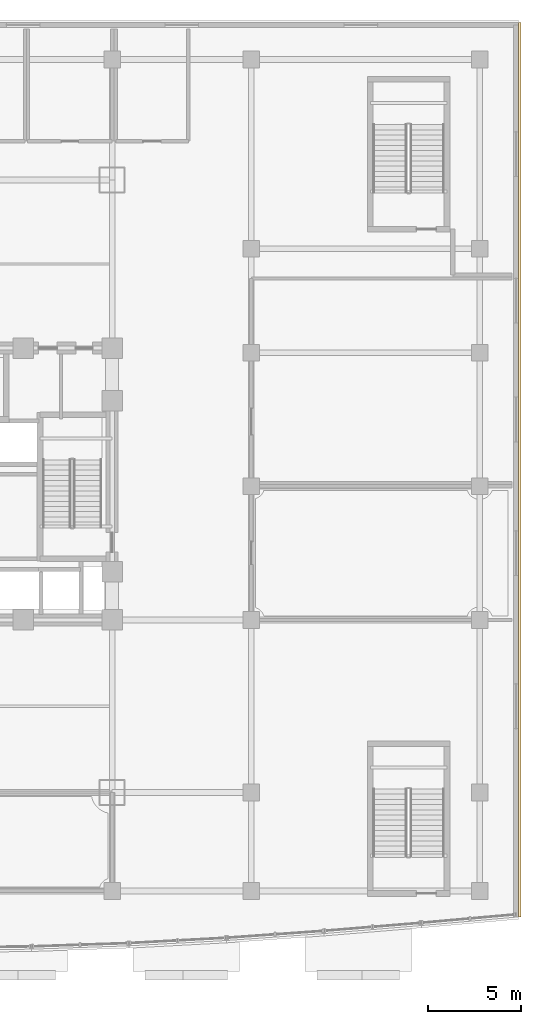
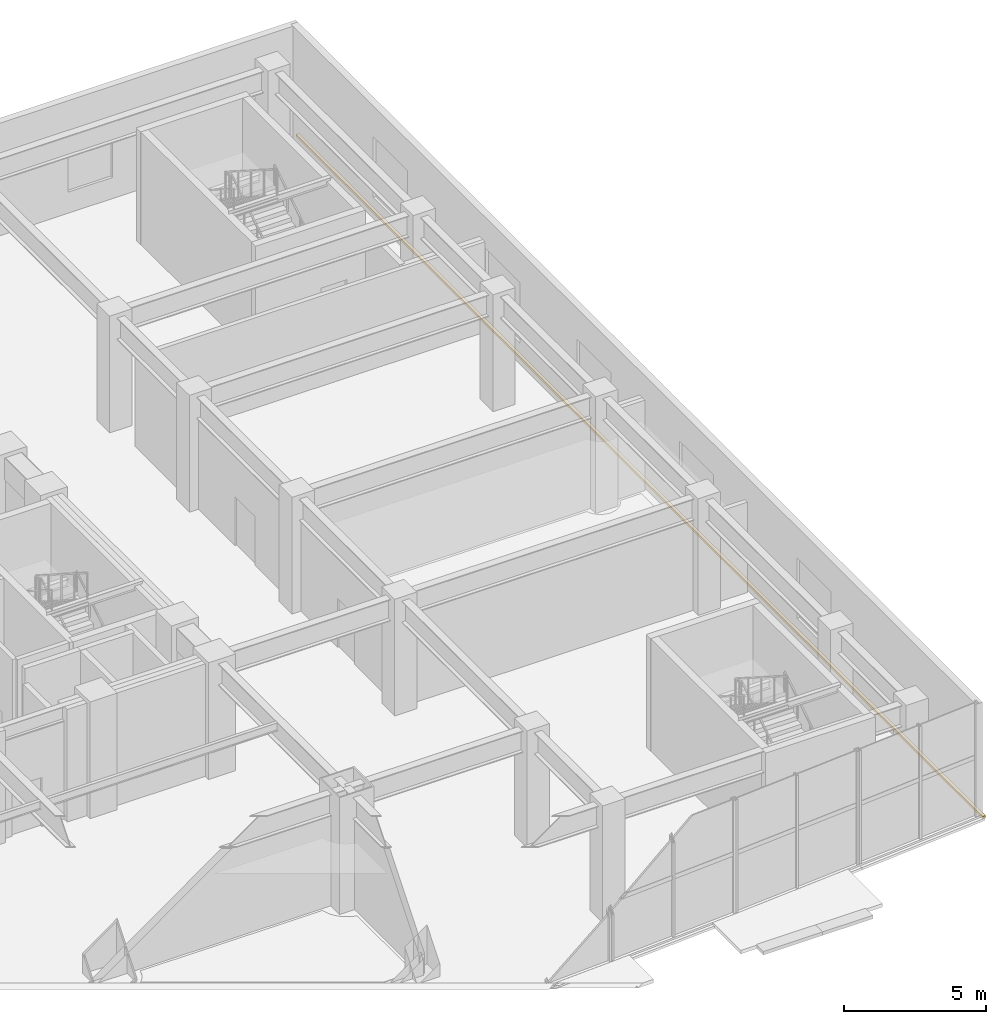
# One storey, part 21 of 24: 1 covering.
"""IFC4 building model written with IfcOpenShell, lengths in metres."""

from ifc_helpers import new_model, si_unit, direction, frame, origin, place, context, subcontext, project, spatial, polyline, outline, extrude, material, layer, layer_set, type_object, element, save


model = new_model("IFC4")

# Units and contexts
model_context = context("Model", 3, precision=1e-05, world=origin(), true_north=direction((0.0, 1.0)))
body_context = subcontext(model_context, "Body", "Model", "MODEL_VIEW")
ifc_project = project(units=[si_unit("LENGTHUNIT", "METRE"), si_unit("AREAUNIT", "SQUARE_METRE"), si_unit("VOLUMEUNIT", "CUBIC_METRE"), si_unit("PLANEANGLEUNIT", "RADIAN"), si_unit("MASSUNIT", "GRAM", prefix="KILO")], contexts=[model_context])

# Site, building, storey
site_placement = place(None, origin())
site = spatial("IfcSite", under=ifc_project, at=site_placement, CompositionType="ELEMENT")
building_placement = place(site_placement, origin())
building = spatial("IfcBuilding", under=site, at=building_placement, Name="Vantalir Tower", CompositionType="ELEMENT")
storey_placement = place(building_placement, frame((0.0, 0.0, 6.0)))
storey = spatial("IfcBuildingStorey", under=building, at=storey_placement, Name="L01", CompositionType="ELEMENT", Elevation=6.0)

# Covering
ifc_material = material(Name="Anodised champagne aluminium sill fascia", Category="aluminium")
ifc_layer = layer(ifc_material, 0.125)
ifc_layer_set = layer_set([ifc_layer], Name="Anodised champagne aluminium sill fascia")
covering_type = type_object("IfcCoveringType", Name="COV-SLAB-FASCIA-125", PredefinedType="CLADDING", material=ifc_layer_set)
covering_placement = place(storey_placement, frame((0.0, 0.0, -0.179931640625)))
element("IfcCovering", 1, at=covering_placement, inside=storey, type_object=covering_type, Name="Level 01 Podium Slab-Edge Fascia E", PredefinedType="CLADDING", context=body_context, shape_type="SweptSolid", body=[
    extrude(outline(polyline([(63.0, 1.800048828125), (63.125, 1.800048828125), (63.125, 50.0), (63.0, 50.0), (63.0, 1.800048828125)])), origin(), (0.0, 0.0, 1.0), 0.10498046875),
])

save(model, "model.ifc")
